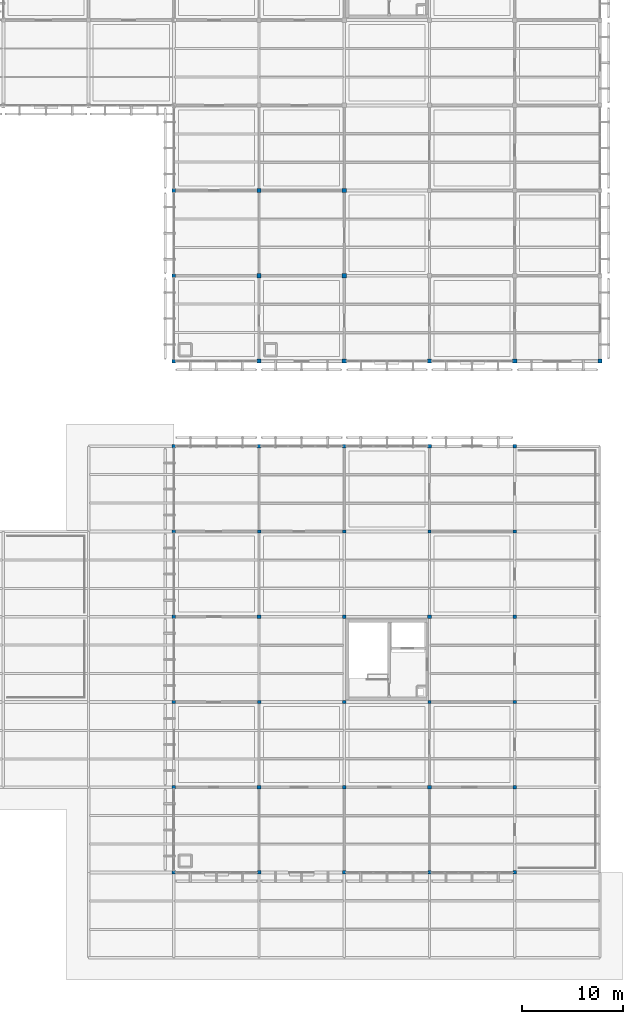
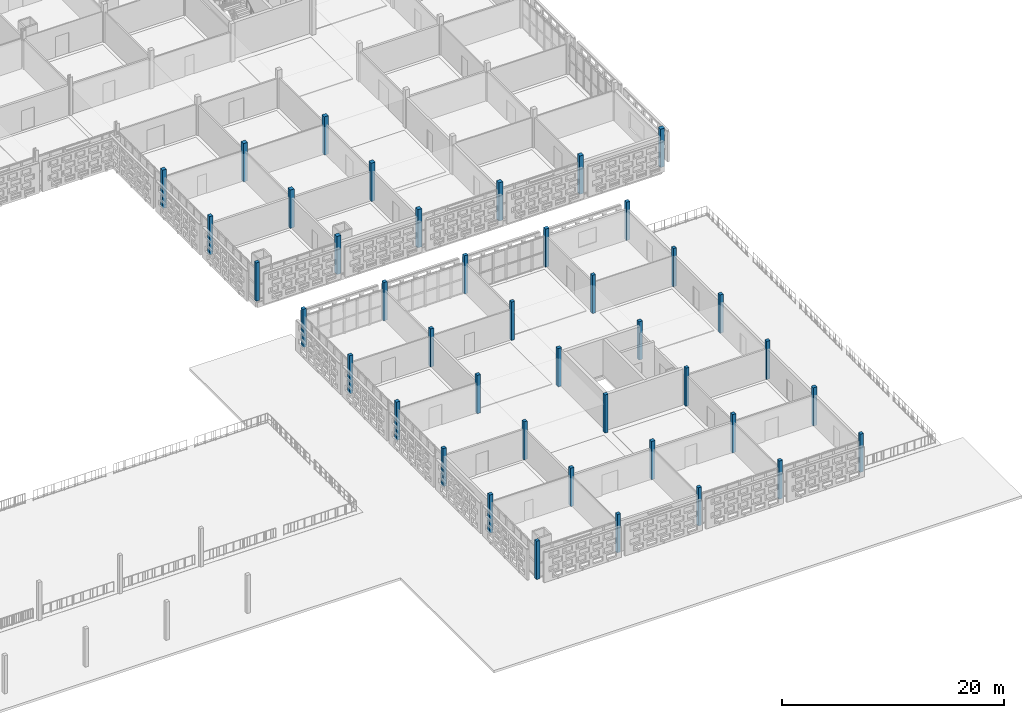
# One storey, part 11 of 166: 42 columns.
"""IFC4 building model written with IfcOpenShell, lengths in metres."""

from ifc_helpers import new_model, si_unit, direction, frame, origin, origin_2d, place, context, subcontext, project, spatial, rectangle, extrude, material, material_profile, profile_set, type_object, element, save


model = new_model("IFC4")

# Units and contexts
model_context = context("Model", 3, precision=1e-05, world=origin(), true_north=direction((0.0, 1.0)))
body_context = subcontext(model_context, "Body", "Model", "MODEL_VIEW")
ifc_project = project(units=[si_unit("LENGTHUNIT", "METRE"), si_unit("AREAUNIT", "SQUARE_METRE"), si_unit("VOLUMEUNIT", "CUBIC_METRE"), si_unit("PLANEANGLEUNIT", "RADIAN"), si_unit("MASSUNIT", "GRAM", prefix="KILO")], contexts=[model_context])

# Site, building, storey
site_placement = place(None, origin())
site = spatial("IfcSite", under=ifc_project, at=site_placement, CompositionType="ELEMENT")
building_placement = place(site_placement, origin())
building = spatial("IfcBuilding", under=site, at=building_placement, Name="Varnapada Polytechnic", CompositionType="ELEMENT")
storey_placement = place(building_placement, frame((0.0, 0.0, 9.60009765625)))
storey = spatial("IfcBuildingStorey", under=building, at=storey_placement, Name="L02", CompositionType="ELEMENT", Elevation=9.60009765625)

# Columns
ifc_material = material(Name="Glulam GL32h", Category="wood")
ifc_material_profile_1 = material_profile(ifc_material, rectangle(XDim=0.360107421875, YDim=0.360107421875, at=origin_2d()), Name="GL 360x360")
ifc_profile_set_1 = profile_set([ifc_material_profile_1], Name="Glulam GL32h")
column_type_1 = type_object("IfcColumnType", Name="Column C-14 (GL 360x360)", PredefinedType="COLUMN", material=ifc_profile_set_1)
for number, where, z_axis, x_axis, name in (
    (1, (134.39990234375, 16.800048828125, 0.0), (0.0, 0.0, 1.0), (1.0, 0.0, 0.0), "L02 column 17/3"),
    (2, (134.39990234375, 33.60009765625, 0.0), (0.0, 0.0, 1.0), (1.0, 0.0, 0.0), "L02 column 17/5"),
    (3, (134.39990234375, 50.39990234375, 0.0), (0.0, 0.0, 1.0), (1.0, 0.0, 0.0), "L02 column 17/7"),
    (4, (142.800048828125, 16.800048828125, 0.0), (0.0, 0.0, 1.0), (1.0, 0.0, 0.0), "L02 column 18/3"),
    (5, (142.800048828125, 33.60009765625, 0.0), (0.0, 0.0, 1.0), (1.0, 0.0, 0.0), "L02 column 18/5"),
    (6, (142.800048828125, 50.39990234375, 0.0), (0.0, 0.0, 1.0), (1.0, 0.0, 0.0), "L02 column 18/7"),
    (7, (151.199951171875, 16.800048828125, 0.0), (0.0, 0.0, 1.0), (1.0, 0.0, 0.0), "L02 column 19/3"),
    (8, (151.199951171875, 33.60009765625, 0.0), (0.0, 0.0, 1.0), (1.0, 0.0, 0.0), "L02 column 19/5"),
    (9, (151.199951171875, 50.39990234375, 0.0), (0.0, 0.0, 1.0), (1.0, 0.0, 0.0), "L02 column 19/7"),
    (10, (159.60009765625, 16.800048828125, 0.0), (0.0, 0.0, 1.0), (1.0, 0.0, 0.0), "L02 column 20/3"),
    (11, (159.60009765625, 33.60009765625, 0.0), (0.0, 0.0, 1.0), (1.0, 0.0, 0.0), "L02 column 20/5"),
    (12, (159.60009765625, 50.39990234375, 0.0), (0.0, 0.0, 1.0), (1.0, 0.0, 0.0), "L02 column 20/7"),
    (13, (168.0, 16.800048828125, 0.0), (0.0, 0.0, 1.0), (1.0, 0.0, 0.0), "L02 column 21/3"),
    (14, (168.0, 33.60009765625, 0.0), (0.0, 0.0, 1.0), (1.0, 0.0, 0.0), "L02 column 21/5"),
    (15, (168.0, 50.39990234375, 0.0), (0.0, 0.0, 1.0), (1.0, 0.0, 0.0), "L02 column 21/7"),
):
    element("IfcColumn", number, at=place(storey_placement, frame(where, z_axis=z_axis, x_axis=x_axis)), inside=storey, type_object=column_type_1, Name=name, PredefinedType="COLUMN", context=body_context, shape_type="SweptSolid", body=[
        extrude(rectangle(XDim=0.360107421875, YDim=0.360107421875, at=origin_2d()), origin(), (0.0, 0.0, 1.0), 4.199951171875),
    ])
ifc_material_profile_2 = material_profile(ifc_material, rectangle(XDim=0.419921875, YDim=0.419921875, at=origin_2d()), Name="GL 420x420")
ifc_profile_set_2 = profile_set([ifc_material_profile_2], Name="Glulam GL32h")
column_type_2 = type_object("IfcColumnType", Name="Column C-23 (GL 420x420)", PredefinedType="COLUMN", material=ifc_profile_set_2)
for number, where, z_axis, x_axis, name in (
    (16, (142.800048828125, 58.800048828125, 0.0), (0.0, 0.0, 1.0), (1.0, 0.0, 0.0), "L02 column 18/8"),
    (17, (142.800048828125, 67.199951171875, 0.0), (0.0, 0.0, 1.0), (1.0, 0.0, 0.0), "L02 column 18/9"),
    (18, (142.800048828125, 75.60009765625, 0.0), (0.0, 0.0, 1.0), (1.0, 0.0, 0.0), "L02 column 18/10"),
    (19, (151.199951171875, 58.800048828125, 0.0), (0.0, 0.0, 1.0), (1.0, 0.0, 0.0), "L02 column 19/8"),
    (20, (151.199951171875, 67.199951171875, 0.0), (0.0, 0.0, 1.0), (1.0, 0.0, 0.0), "L02 column 19/9"),
    (21, (151.199951171875, 75.60009765625, 0.0), (0.0, 0.0, 1.0), (1.0, 0.0, 0.0), "L02 column 19/10"),
    (22, (159.60009765625, 58.800048828125, 0.0), (0.0, 0.0, 1.0), (1.0, 0.0, 0.0), "L02 column 20/8"),
    (23, (168.0, 58.800048828125, 0.0), (0.0, 0.0, 1.0), (1.0, 0.0, 0.0), "L02 column 21/8"),
    (24, (176.39990234375, 58.800048828125, 0.0), (0.0, 0.0, 1.0), (1.0, 0.0, 0.0), "L02 column 22/8"),
):
    element("IfcColumn", number, at=place(storey_placement, frame(where, z_axis=z_axis, x_axis=x_axis)), inside=storey, type_object=column_type_2, Name=name, PredefinedType="COLUMN", context=body_context, shape_type="SweptSolid", body=[
        extrude(rectangle(XDim=0.419921875, YDim=0.419921875, at=origin_2d()), origin(), (0.0, 0.0, 1.0), 4.199951171875),
    ])
ifc_material_profile_3 = material_profile(ifc_material, rectangle(XDim=0.3798828125, YDim=0.3798828125, at=origin_2d()), Name="GL 380x380")
ifc_profile_set_3 = profile_set([ifc_material_profile_3], Name="Glulam GL32h")
column_type_3 = type_object("IfcColumnType", Name="Column C-24 (GL 380x380)", PredefinedType="COLUMN", material=ifc_profile_set_3)
for number, where, z_axis, x_axis, name in (
    (25, (134.39990234375, 67.199951171875, 0.0), (0.0, 0.0, 1.0), (1.0, 0.0, 0.0), "L02 column 17/9"),
    (26, (134.39990234375, 75.60009765625, 0.0), (0.0, 0.0, 1.0), (1.0, 0.0, 0.0), "L02 column 17/10"),
):
    element("IfcColumn", number, at=place(storey_placement, frame(where, z_axis=z_axis, x_axis=x_axis)), inside=storey, type_object=column_type_3, Name=name, PredefinedType="COLUMN", context=body_context, shape_type="SweptSolid", body=[
        extrude(rectangle(XDim=0.3798828125, YDim=0.3798828125, at=origin_2d()), origin(), (0.0, 0.0, 1.0), 4.199951171875),
    ])
ifc_material_profile_4 = material_profile(ifc_material, rectangle(XDim=0.340087890625, YDim=0.340087890625, at=origin_2d()), Name="GL 340x340")
ifc_profile_set_4 = profile_set([ifc_material_profile_4], Name="Glulam GL32h")
column_type_4 = type_object("IfcColumnType", Name="Column C-27 (GL 340x340)", PredefinedType="COLUMN", material=ifc_profile_set_4)
for number, where, z_axis, x_axis, name in (
    (27, (134.39990234375, 8.39990234375, 0.0), (0.0, 0.0, 1.0), (1.0, 0.0, 0.0), "L02 column 17/2"),
    (28, (134.39990234375, 25.199951171875, 0.0), (0.0, 0.0, 1.0), (1.0, 0.0, 0.0), "L02 column 17/4"),
    (29, (134.39990234375, 42.0, 0.0), (0.0, 0.0, 1.0), (1.0, 0.0, 0.0), "L02 column 17/6"),
    (30, (134.39990234375, 58.800048828125, 0.0), (0.0, 0.0, 1.0), (1.0, 0.0, 0.0), "L02 column 17/8"),
    (31, (142.800048828125, 8.39990234375, 0.0), (0.0, 0.0, 1.0), (1.0, 0.0, 0.0), "L02 column 18/2"),
    (32, (142.800048828125, 25.199951171875, 0.0), (0.0, 0.0, 1.0), (1.0, 0.0, 0.0), "L02 column 18/4"),
    (33, (142.800048828125, 42.0, 0.0), (0.0, 0.0, 1.0), (1.0, 0.0, 0.0), "L02 column 18/6"),
    (34, (151.199951171875, 8.39990234375, 0.0), (0.0, 0.0, 1.0), (1.0, 0.0, 0.0), "L02 column 19/2"),
    (35, (151.199951171875, 25.199951171875, 0.0), (0.0, 0.0, 1.0), (1.0, 0.0, 0.0), "L02 column 19/4"),
    (36, (151.199951171875, 42.0, 0.0), (0.0, 0.0, 1.0), (1.0, 0.0, 0.0), "L02 column 19/6"),
    (37, (159.60009765625, 8.39990234375, 0.0), (0.0, 0.0, 1.0), (1.0, 0.0, 0.0), "L02 column 20/2"),
    (38, (159.60009765625, 25.199951171875, 0.0), (0.0, 0.0, 1.0), (1.0, 0.0, 0.0), "L02 column 20/4"),
    (39, (159.60009765625, 42.0, 0.0), (0.0, 0.0, 1.0), (1.0, 0.0, 0.0), "L02 column 20/6"),
    (40, (168.0, 8.39990234375, 0.0), (0.0, 0.0, 1.0), (1.0, 0.0, 0.0), "L02 column 21/2"),
    (41, (168.0, 25.199951171875, 0.0), (0.0, 0.0, 1.0), (1.0, 0.0, 0.0), "L02 column 21/4"),
    (42, (168.0, 42.0, 0.0), (0.0, 0.0, 1.0), (1.0, 0.0, 0.0), "L02 column 21/6"),
):
    element("IfcColumn", number, at=place(storey_placement, frame(where, z_axis=z_axis, x_axis=x_axis)), inside=storey, type_object=column_type_4, Name=name, PredefinedType="COLUMN", context=body_context, shape_type="SweptSolid", body=[
        extrude(rectangle(XDim=0.340087890625, YDim=0.340087890625, at=origin_2d()), origin(), (0.0, 0.0, 1.0), 4.199951171875),
    ])

save(model, "model.ifc")
